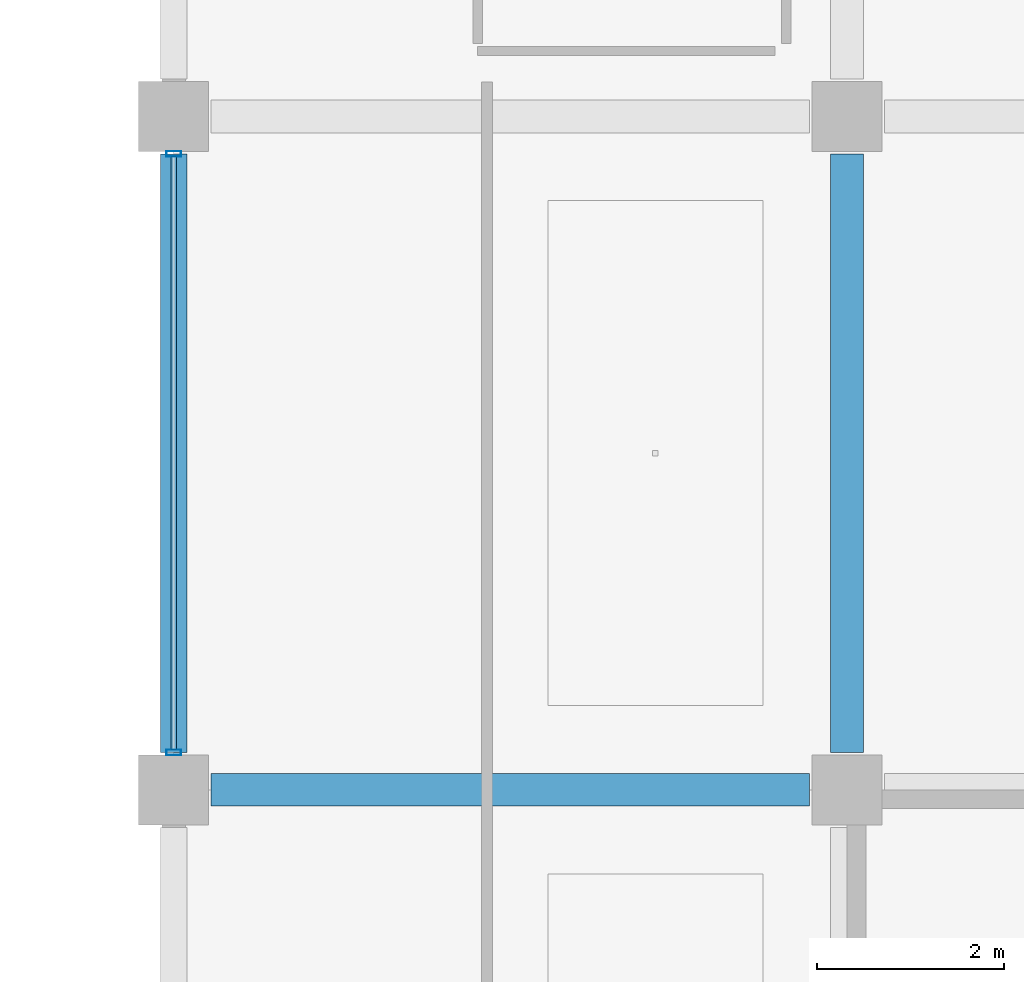
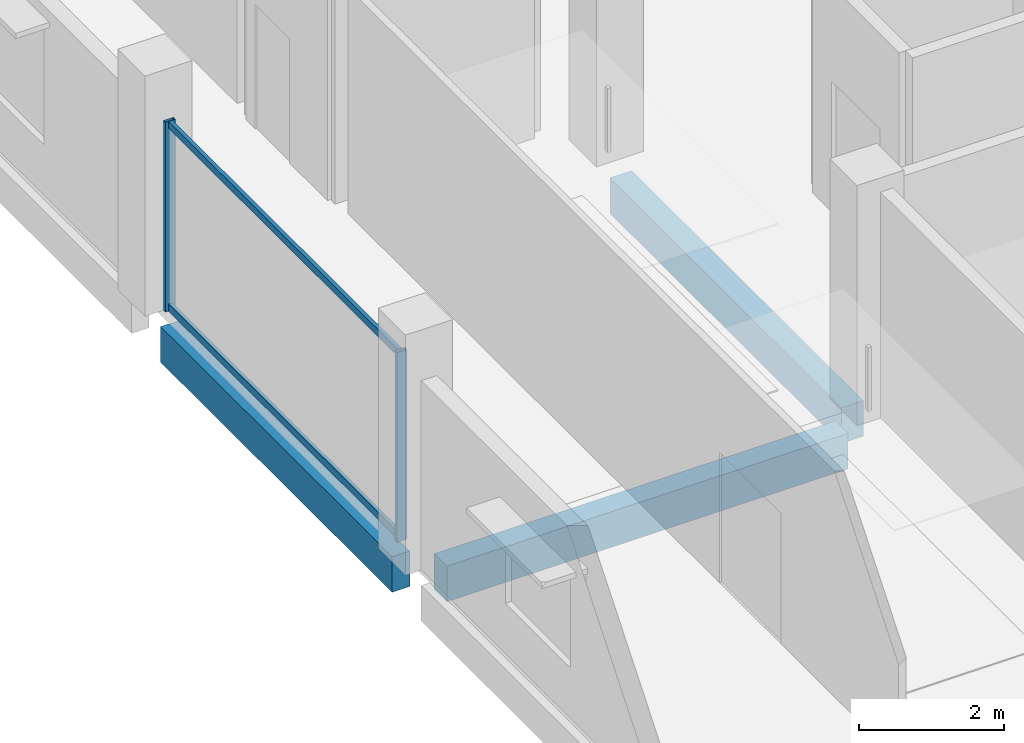
# One storey, part 49 of 108: 4 members, 3 beams, 1 element without a shape of its own.
"""IFC4 building model written with IfcOpenShell, lengths in metres."""

from ifc_helpers import new_model, si_unit, direction, frame, origin, origin_2d, place, context, subcontext, project, spatial, rectangle, hollow_rectangle, extrude, material, layer, layer_set, material_profile, profile_set, type_object, element, aggregate, save


model = new_model("IFC4")

# Units and contexts
model_context = context("Model", 3, precision=1e-05, world=origin(), true_north=direction((0.0, 1.0)))
body_context = subcontext(model_context, "Body", "Model", "MODEL_VIEW")
ifc_project = project(units=[si_unit("LENGTHUNIT", "METRE"), si_unit("AREAUNIT", "SQUARE_METRE"), si_unit("VOLUMEUNIT", "CUBIC_METRE"), si_unit("PLANEANGLEUNIT", "RADIAN"), si_unit("MASSUNIT", "GRAM", prefix="KILO")], contexts=[model_context])

# Site, building, storey
site_placement = place(None, origin())
site = spatial("IfcSite", under=ifc_project, at=site_placement, CompositionType="ELEMENT")
building_placement = place(site_placement, origin())
building = spatial("IfcBuilding", under=site, at=building_placement, Name="Kangsadwip Square Police Headquarters", CompositionType="ELEMENT")
storey_placement = place(building_placement, frame((0.0, 0.0, 9.449951171875)))
storey = spatial("IfcBuildingStorey", under=building, at=storey_placement, Name="L02", CompositionType="ELEMENT", Elevation=9.449951171875)

# Curtain wall, members
ifc_material_1 = material(Name="Thermally broken anodised aluminium AW-6063-T6", Category="aluminium")
ifc_layer = layer(ifc_material_1, 0.159912109375)
ifc_layer_set = layer_set([ifc_layer], Name="Thermally broken anodised aluminium AW-6063-T6")
curtain_wall_type = type_object("IfcCurtainWallType", Name="CourtScreen6460x3200", PredefinedType="USERDEFINED", material=ifc_layer_set)
curtain_wall_placement = place(storey_placement, origin())
curtain_wall = element("IfcCurtainWall", 1, at=curtain_wall_placement, inside=storey, type_object=curtain_wall_type, Name="Curtain Wall CW-L02-1440-0652", ObjectType="GLAZED_SCREEN", PredefinedType="USERDEFINED")
ifc_material_2 = material(Name="Thermally broken anodised aluminium AW-6063-T6", Category="aluminium")
ifc_material_profile_1 = material_profile(ifc_material_2, hollow_rectangle(XDim=0.06005859375, YDim=0.159912109375, WallThickness=0.00390625, at=origin_2d()), Name="CWM 160X60X4")
ifc_profile_set_1 = profile_set([ifc_material_profile_1], Name="Thermally broken anodised aluminium AW-6063-T6")
member_type_1 = type_object("IfcMemberType", Name="CwMullion135x60", PredefinedType="MULLION", material=ifc_profile_set_1)
member_1_placement = place(storey_placement, frame((144.0, 65.199951171875, 0.0), z_axis=(0.0, 0.0, 1.0), x_axis=(0.0, 1.0, 0.0)))
member_1 = element("IfcMember", 2, at=member_1_placement, type_object=member_type_1, Name="CW-16 mullion 1", PredefinedType="MULLION", context=body_context, shape_type="SweptSolid", body=[
    extrude(hollow_rectangle(XDim=0.06005859375, YDim=0.159912109375, WallThickness=0.00390625, at=origin_2d()), origin(), (0.0, 0.0, 1.0), 3.199951171875),
])
member_2_placement = place(storey_placement, frame((144.0, 71.60009765625, 0.0), z_axis=(0.0, 0.0, 1.0), x_axis=(0.0, 1.0, 0.0)))
member_2 = element("IfcMember", 3, at=member_2_placement, type_object=member_type_1, Name="CW-16 mullion 2", PredefinedType="MULLION", context=body_context, shape_type="SweptSolid", body=[
    extrude(hollow_rectangle(XDim=0.06005859375, YDim=0.159912109375, WallThickness=0.00390625, at=origin_2d()), origin(), (0.0, 0.0, 1.0), 3.199951171875),
])
ifc_material_3 = material(Name="Thermally broken anodised aluminium AW-6063-T6", Category="aluminium")
ifc_material_profile_2 = material_profile(ifc_material_3, hollow_rectangle(XDim=0.06005859375, YDim=0.1201171875, WallThickness=0.00390625, at=origin_2d()), Name="CWT 120X60X4")
ifc_profile_set_2 = profile_set([ifc_material_profile_2], Name="Thermally broken anodised aluminium AW-6063-T6")
member_type_2 = type_object("IfcMemberType", Name="CwTransom120x55", PredefinedType="USERDEFINED", material=ifc_profile_set_2)
member_3_placement = place(storey_placement, frame((144.0, 65.22998046875, 0.06005859375), z_axis=(0.0, 1.0, 0.0), x_axis=(-1.0, 0.0, 0.0)))
member_3 = element("IfcMember", 4, at=member_3_placement, type_object=member_type_2, Name="CW-16 transom 1.1", ObjectType="TRANSOM", PredefinedType="USERDEFINED", context=body_context, shape_type="SweptSolid", body=[
    extrude(hollow_rectangle(XDim=0.06005859375, YDim=0.1201171875, WallThickness=0.00390625, at=origin_2d()), origin(), (0.0, 0.0, 1.0), 6.340087890625),
])
member_4_placement = place(storey_placement, frame((144.0, 65.22998046875, 3.14013671875), z_axis=(0.0, 1.0, 0.0), x_axis=(-1.0, 0.0, 0.0)))
member_4 = element("IfcMember", 5, at=member_4_placement, type_object=member_type_2, Name="CW-16 transom 1.2", ObjectType="TRANSOM", PredefinedType="USERDEFINED", context=body_context, shape_type="SweptSolid", body=[
    extrude(hollow_rectangle(XDim=0.06005859375, YDim=0.1201171875, WallThickness=0.00390625, at=origin_2d()), origin(), (0.0, 0.0, 1.0), 6.340087890625),
])
aggregate(curtain_wall, [member_1, member_2, member_3, member_4])

# Beams
ifc_material_4 = material(Name="Concrete M35 (35 MPa)", Category="concrete")
ifc_material_profile_3 = material_profile(ifc_material_4, rectangle(XDim=0.35009765625, YDim=0.60009765625, at=origin_2d()), Name="RC BM 600X350")
ifc_profile_set_3 = profile_set([ifc_material_profile_3], Name="Concrete M35 (35 MPa)")
beam_type_1 = type_object("IfcBeamType", Name="RcBeam600x350", PredefinedType="BEAM", material=ifc_profile_set_3)
for number, where, z_axis, x_axis, name in (
    (6, (144.39990234375, 64.800048828125, -0.5400390625), (1.0, 0.0, 0.0), (0.0, 1.0, 0.0), "Beam BM-L02-X-20-09"),
    (7, (151.199951171875, 65.199951171875, -0.5400390625), (0.0, 1.0, 0.0), (-1.0, 0.0, 0.0), "Beam BM-L02-Y-21-09"),
):
    element("IfcBeam", number, at=place(storey_placement, frame(where, z_axis=z_axis, x_axis=x_axis)), inside=storey, type_object=beam_type_1, Name=name, PredefinedType="BEAM", context=body_context, shape_type="SweptSolid", body=[
        extrude(rectangle(XDim=0.35009765625, YDim=0.60009765625, at=origin_2d()), origin(), (0.0, 0.0, 1.0), 6.400146484375),
    ])
ifc_material_5 = material(Name="Concrete M40 (40 MPa)", Category="concrete")
ifc_material_profile_4 = material_profile(ifc_material_5, rectangle(XDim=0.280029296875, YDim=0.60009765625, at=origin_2d()), Name="RC SPN 600X280")
ifc_profile_set_4 = profile_set([ifc_material_profile_4], Name="Concrete M40 (40 MPa)")
beam_type_2 = type_object("IfcBeamType", Name="RcSpandrel600x280", PredefinedType="SPANDREL", material=ifc_profile_set_4)
beam_placement = place(storey_placement, frame((144.0, 65.199951171875, -0.5400390625), z_axis=(0.0, 1.0, 0.0), x_axis=(-1.0, 0.0, 0.0)))
element("IfcBeam", 8, at=beam_placement, inside=storey, type_object=beam_type_2, Name="Beam BM-L02-Y-20-09", PredefinedType="SPANDREL", context=body_context, shape_type="SweptSolid", body=[
    extrude(rectangle(XDim=0.280029296875, YDim=0.60009765625, at=origin_2d()), origin(), (0.0, 0.0, 1.0), 6.400146484375),
])

save(model, "model.ifc")
